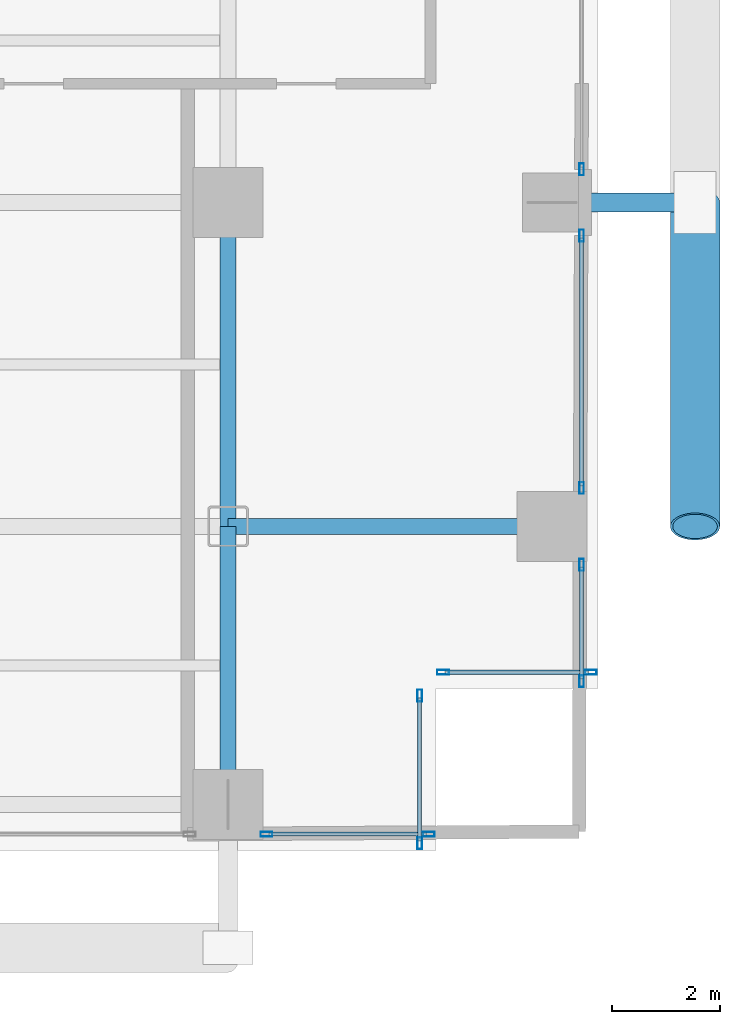
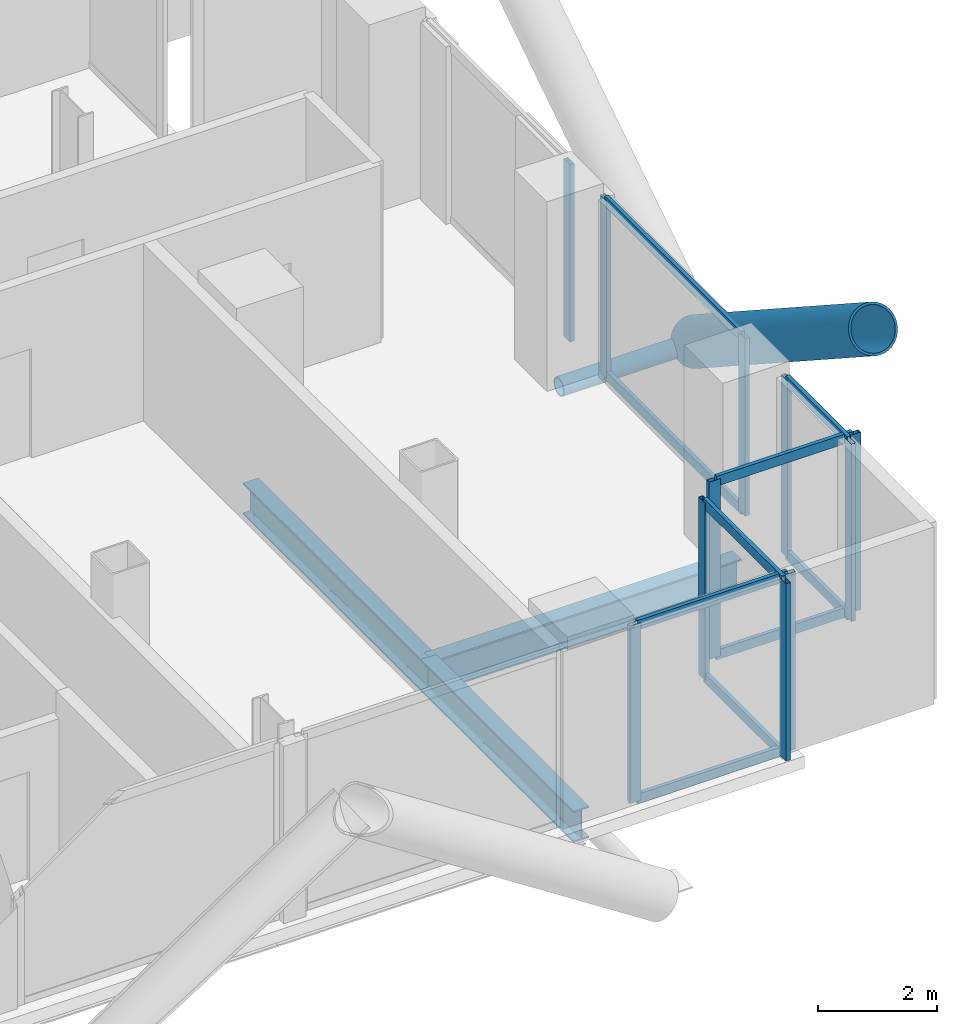
# One storey, part 10 of 25: 23 members, 3 beams, 6 elements without a shape of their own.
"""IFC4 building model written with IfcOpenShell, lengths in metres."""

from ifc_helpers import new_model, si_unit, direction, frame, origin, origin_2d, place, context, subcontext, project, spatial, hollow_rectangle, hollow_circle, i_section, extrude, material, layer, layer_set, material_profile, profile_set, type_object, element, aggregate, save


model = new_model("IFC4")

# Units and contexts
model_context = context("Model", 3, precision=1e-05, world=origin(), true_north=direction((0.0, 1.0)))
body_context = subcontext(model_context, "Body", "Model", "MODEL_VIEW")
ifc_project = project(units=[si_unit("LENGTHUNIT", "METRE"), si_unit("AREAUNIT", "SQUARE_METRE"), si_unit("VOLUMEUNIT", "CUBIC_METRE"), si_unit("PLANEANGLEUNIT", "RADIAN"), si_unit("MASSUNIT", "GRAM", prefix="KILO"), si_unit("THERMODYNAMICTEMPERATUREUNIT", "KELVIN"), si_unit("POWERUNIT", "WATT")], contexts=[model_context])

# Site, building, storey
site_placement = place(None, origin())
site = spatial("IfcSite", under=ifc_project, at=site_placement, CompositionType="ELEMENT")
building_placement = place(site_placement, origin())
building = spatial("IfcBuilding", under=site, at=building_placement, Name="Svarakhadi Broadcast Tower", CompositionType="ELEMENT")
storey_placement = place(building_placement, frame((0.0, 0.0, 83.10009765625)))
storey = spatial("IfcBuildingStorey", under=building, at=storey_placement, Name="L19", CompositionType="ELEMENT", Elevation=83.10009765625)

# Curtain wall, member
ifc_material_1 = material(Name="Anodised Bronze Aluminium AA 6063-T6", Category="aluminium")
ifc_layer = layer(ifc_material_1, 0.219970703125)
ifc_layer_set = layer_set([ifc_layer], Name="Anodised Bronze Aluminium AA 6063-T6")
curtain_wall_type = type_object("IfcCurtainWallType", Name="CW_Sys_02", PredefinedType="NOTDEFINED", material=ifc_layer_set)
curtain_wall_1_placement = place(storey_placement, origin())
curtain_wall_1 = element("IfcCurtainWall", 1, at=curtain_wall_1_placement, inside=storey, type_object=curtain_wall_type, Name="L19 Unitised Facade Curtain Wall 13 Bay 2", PredefinedType="NOTDEFINED")
ifc_material_profile_1 = material_profile(ifc_material_1, hollow_rectangle(XDim=0.0849609375, YDim=0.219970703125, WallThickness=0.006103515625, at=origin_2d()), Name="ALU MULLION 220x85x6")
ifc_profile_set_1 = profile_set([ifc_material_profile_1], Name="Anodised Bronze Aluminium AA 6063-T6")
member_type_1 = type_object("IfcMemberType", Name="CW_Sys_02_Mul", PredefinedType="MULLION", material=ifc_profile_set_1)
member_1_placement = place(storey_placement, frame((53.699951171875, 12.612548828125, 0.0), z_axis=(0.0, 0.0, 1.0), x_axis=(1.0, 0.0, 0.0)))
member_1 = element("IfcMember", 2, at=member_1_placement, type_object=member_type_1, Name="CW-02 mullion 2", PredefinedType="MULLION", context=body_context, shape_type="SweptSolid", body=[
    extrude(hollow_rectangle(XDim=0.0849609375, YDim=0.219970703125, WallThickness=0.006103515625, at=origin_2d()), origin(), (0.0, 0.0, 1.0), 3.64990234375),
])
aggregate(curtain_wall_1, [member_1])

# Curtain wall, members
curtain_wall_2_placement = place(storey_placement, origin())
curtain_wall_2 = element("IfcCurtainWall", 3, at=curtain_wall_2_placement, inside=storey, type_object=curtain_wall_type, Name="L19 Unitised Facade Curtain Wall 13 Bay 3", PredefinedType="NOTDEFINED")
member_2_placement = place(storey_placement, frame((53.699951171875, 11.387451171875, 0.0), z_axis=(0.0, 0.0, 1.0), x_axis=(1.0, 0.0, 0.0)))
member_2 = element("IfcMember", 4, at=member_2_placement, type_object=member_type_1, Name="CW-02 mullion 1", PredefinedType="MULLION", context=body_context, shape_type="SweptSolid", body=[
    extrude(hollow_rectangle(XDim=0.0849609375, YDim=0.219970703125, WallThickness=0.006103515625, at=origin_2d()), origin(), (0.0, 0.0, 1.0), 3.64990234375),
])
member_3_placement = place(storey_placement, frame((53.699951171875, 6.71240234375, 0.0), z_axis=(0.0, 0.0, 1.0), x_axis=(1.0, 0.0, 0.0)))
member_3 = element("IfcMember", 5, at=member_3_placement, type_object=member_type_1, Name="CW-02 mullion 2", PredefinedType="MULLION", context=body_context, shape_type="SweptSolid", body=[
    extrude(hollow_rectangle(XDim=0.0849609375, YDim=0.219970703125, WallThickness=0.006103515625, at=origin_2d()), origin(), (0.0, 0.0, 1.0), 3.64990234375),
])

curtain_wall_3_placement = place(storey_placement, origin())
curtain_wall_3 = element("IfcCurtainWall", 6, at=curtain_wall_3_placement, inside=storey, type_object=curtain_wall_type, Name="L19 Unitised Facade Curtain Wall 13 Bay 4", PredefinedType="NOTDEFINED")
member_4_placement = place(storey_placement, frame((53.699951171875, 5.28759765625, 0.0), z_axis=(0.0, 0.0, 1.0), x_axis=(1.0, 0.0, 0.0)))
member_4 = element("IfcMember", 7, at=member_4_placement, type_object=member_type_1, Name="CW-02 mullion 1", PredefinedType="MULLION", context=body_context, shape_type="SweptSolid", body=[
    extrude(hollow_rectangle(XDim=0.0849609375, YDim=0.219970703125, WallThickness=0.006103515625, at=origin_2d()), origin(), (0.0, 0.0, 1.0), 3.64990234375),
])
member_5_placement = place(storey_placement, frame((53.699951171875, 3.132568359375, 0.0), z_axis=(0.0, 0.0, 1.0), x_axis=(1.0, 0.0, 0.0)))
member_5 = element("IfcMember", 8, at=member_5_placement, type_object=member_type_1, Name="CW-02 mullion 2", PredefinedType="MULLION", context=body_context, shape_type="SweptSolid", body=[
    extrude(hollow_rectangle(XDim=0.0849609375, YDim=0.219970703125, WallThickness=0.006103515625, at=origin_2d()), origin(), (0.0, 0.0, 1.0), 3.64990234375),
])

curtain_wall_4_placement = place(storey_placement, origin())
curtain_wall_4 = element("IfcCurtainWall", 9, at=curtain_wall_4_placement, inside=storey, type_object=curtain_wall_type, Name="L19 Unitised Facade Curtain Wall 14", PredefinedType="NOTDEFINED")
member_6_placement = place(storey_placement, frame((53.867431640625, 3.300048828125, 0.0), z_axis=(0.0, 0.0, 1.0), x_axis=(0.0, -1.0, 0.0)))
member_6 = element("IfcMember", 10, at=member_6_placement, type_object=member_type_1, Name="CW-02 mullion 1", PredefinedType="MULLION", context=body_context, shape_type="SweptSolid", body=[
    extrude(hollow_rectangle(XDim=0.0849609375, YDim=0.219970703125, WallThickness=0.006103515625, at=origin_2d()), origin(), (0.0, 0.0, 1.0), 3.64990234375),
])
member_7_placement = place(storey_placement, frame((51.132568359375, 3.300048828125, 0.0), z_axis=(0.0, 0.0, 1.0), x_axis=(0.0, -1.0, 0.0)))
member_7 = element("IfcMember", 11, at=member_7_placement, type_object=member_type_1, Name="CW-02 mullion 2", PredefinedType="MULLION", context=body_context, shape_type="SweptSolid", body=[
    extrude(hollow_rectangle(XDim=0.0849609375, YDim=0.219970703125, WallThickness=0.006103515625, at=origin_2d()), origin(), (0.0, 0.0, 1.0), 3.64990234375),
])

curtain_wall_5_placement = place(storey_placement, origin())
curtain_wall_5 = element("IfcCurtainWall", 12, at=curtain_wall_5_placement, inside=storey, type_object=curtain_wall_type, Name="L19 Unitised Facade Curtain Wall 15", PredefinedType="NOTDEFINED")
member_8_placement = place(storey_placement, frame((50.699951171875, 2.867431640625, 0.0), z_axis=(0.0, 0.0, 1.0), x_axis=(1.0, 0.0, 0.0)))
member_8 = element("IfcMember", 13, at=member_8_placement, type_object=member_type_1, Name="CW-02 mullion 1", PredefinedType="MULLION", context=body_context, shape_type="SweptSolid", body=[
    extrude(hollow_rectangle(XDim=0.0849609375, YDim=0.219970703125, WallThickness=0.006103515625, at=origin_2d()), origin(), (0.0, 0.0, 1.0), 3.64990234375),
])
member_9_placement = place(storey_placement, frame((50.699951171875, 0.132568359375, 0.0), z_axis=(0.0, 0.0, 1.0), x_axis=(1.0, 0.0, 0.0)))
member_9 = element("IfcMember", 14, at=member_9_placement, type_object=member_type_1, Name="CW-02 mullion 2", PredefinedType="MULLION", context=body_context, shape_type="SweptSolid", body=[
    extrude(hollow_rectangle(XDim=0.0849609375, YDim=0.219970703125, WallThickness=0.006103515625, at=origin_2d()), origin(), (0.0, 0.0, 1.0), 3.64990234375),
])

curtain_wall_6_placement = place(storey_placement, origin())
curtain_wall_6 = element("IfcCurtainWall", 15, at=curtain_wall_6_placement, inside=storey, type_object=curtain_wall_type, Name="L19 South Curtain Wall 16 Bay 1", PredefinedType="NOTDEFINED")
member_10_placement = place(storey_placement, frame((50.867431640625, 0.300048828125, 0.0), z_axis=(0.0, 0.0, 1.0), x_axis=(0.0, -1.0, 0.0)))
member_10 = element("IfcMember", 16, at=member_10_placement, type_object=member_type_1, Name="CW-02 mullion 1", PredefinedType="MULLION", context=body_context, shape_type="SweptSolid", body=[
    extrude(hollow_rectangle(XDim=0.0849609375, YDim=0.219970703125, WallThickness=0.006103515625, at=origin_2d()), origin(), (0.0, 0.0, 1.0), 3.64990234375),
])
member_11_placement = place(storey_placement, frame((47.862548828125, 0.300048828125, 0.0), z_axis=(0.0, 0.0, 1.0), x_axis=(0.0, -1.0, 0.0)))
member_11 = element("IfcMember", 17, at=member_11_placement, type_object=member_type_1, Name="CW-02 mullion 2", PredefinedType="MULLION", context=body_context, shape_type="SweptSolid", body=[
    extrude(hollow_rectangle(XDim=0.0849609375, YDim=0.219970703125, WallThickness=0.006103515625, at=origin_2d()), origin(), (0.0, 0.0, 1.0), 3.64990234375),
])

# Member
ifc_material_profile_2 = material_profile(ifc_material_1, hollow_rectangle(XDim=0.074951171875, YDim=0.199951171875, WallThickness=0.0048828125, at=origin_2d()), Name="ALU TRANSOM 200x75x5")
ifc_profile_set_2 = profile_set([ifc_material_profile_2], Name="Anodised Bronze Aluminium AA 6063-T6")
member_type_2 = type_object("IfcMemberType", Name="CW_Sys_02_Trn", PredefinedType="USERDEFINED", material=ifc_profile_set_2)
member_12_placement = place(storey_placement, frame((53.699951171875, 11.344970703125, 0.037353515625), z_axis=(0.0, -1.0, 0.0), x_axis=(1.0, 0.0, 0.0)))
member_12 = element("IfcMember", 18, at=member_12_placement, type_object=member_type_2, Name="CW-02 transom 1.1", ObjectType="TRANSOM", PredefinedType="USERDEFINED", context=body_context, shape_type="SweptSolid", body=[
    extrude(hollow_rectangle(XDim=0.074951171875, YDim=0.199951171875, WallThickness=0.0048828125, at=origin_2d()), origin(), (0.0, 0.0, 1.0), 4.590087890625),
])

member_13_placement = place(storey_placement, frame((53.699951171875, 11.344970703125, 3.6123046875), z_axis=(0.0, -1.0, 0.0), x_axis=(1.0, 0.0, 0.0)))
member_13 = element("IfcMember", 19, at=member_13_placement, type_object=member_type_2, Name="CW-02 transom 1.2", ObjectType="TRANSOM", PredefinedType="USERDEFINED", context=body_context, shape_type="SweptSolid", body=[
    extrude(hollow_rectangle(XDim=0.074951171875, YDim=0.199951171875, WallThickness=0.0048828125, at=origin_2d()), origin(), (0.0, 0.0, 1.0), 4.590087890625),
])

aggregate(curtain_wall_2, [member_2, member_3, member_12, member_13])

member_14_placement = place(storey_placement, frame((53.699951171875, 5.2451171875, 0.037353515625), z_axis=(0.0, -1.0, 0.0), x_axis=(1.0, 0.0, 0.0)))
member_14 = element("IfcMember", 20, at=member_14_placement, type_object=member_type_2, Name="CW-02 transom 1.1", ObjectType="TRANSOM", PredefinedType="USERDEFINED", context=body_context, shape_type="SweptSolid", body=[
    extrude(hollow_rectangle(XDim=0.074951171875, YDim=0.199951171875, WallThickness=0.0048828125, at=origin_2d()), origin(), (0.0, 0.0, 1.0), 2.070068359375),
])

member_15_placement = place(storey_placement, frame((53.699951171875, 5.2451171875, 3.6123046875), z_axis=(0.0, -1.0, 0.0), x_axis=(1.0, 0.0, 0.0)))
member_15 = element("IfcMember", 21, at=member_15_placement, type_object=member_type_2, Name="CW-02 transom 1.2", ObjectType="TRANSOM", PredefinedType="USERDEFINED", context=body_context, shape_type="SweptSolid", body=[
    extrude(hollow_rectangle(XDim=0.074951171875, YDim=0.199951171875, WallThickness=0.0048828125, at=origin_2d()), origin(), (0.0, 0.0, 1.0), 2.070068359375),
])

aggregate(curtain_wall_3, [member_4, member_5, member_14, member_15])

member_16_placement = place(storey_placement, frame((53.824951171875, 3.300048828125, 0.037353515625), z_axis=(-1.0, 0.0, 0.0), x_axis=(0.0, -1.0, 0.0)))
member_16 = element("IfcMember", 22, at=member_16_placement, type_object=member_type_2, Name="CW-02 transom 1.1", ObjectType="TRANSOM", PredefinedType="USERDEFINED", context=body_context, shape_type="SweptSolid", body=[
    extrude(hollow_rectangle(XDim=0.074951171875, YDim=0.199951171875, WallThickness=0.0048828125, at=origin_2d()), origin(), (0.0, 0.0, 1.0), 2.64990234375),
])

member_17_placement = place(storey_placement, frame((53.824951171875, 3.300048828125, 3.6123046875), z_axis=(-1.0, 0.0, 0.0), x_axis=(0.0, -1.0, 0.0)))
member_17 = element("IfcMember", 23, at=member_17_placement, type_object=member_type_2, Name="CW-02 transom 1.2", ObjectType="TRANSOM", PredefinedType="USERDEFINED", context=body_context, shape_type="SweptSolid", body=[
    extrude(hollow_rectangle(XDim=0.074951171875, YDim=0.199951171875, WallThickness=0.0048828125, at=origin_2d()), origin(), (0.0, 0.0, 1.0), 2.64990234375),
])

aggregate(curtain_wall_4, [member_6, member_7, member_16, member_17])

member_18_placement = place(storey_placement, frame((50.699951171875, 2.824951171875, 0.037353515625), z_axis=(0.0, -1.0, 0.0), x_axis=(1.0, 0.0, 0.0)))
member_18 = element("IfcMember", 24, at=member_18_placement, type_object=member_type_2, Name="CW-02 transom 1.1", ObjectType="TRANSOM", PredefinedType="USERDEFINED", context=body_context, shape_type="SweptSolid", body=[
    extrude(hollow_rectangle(XDim=0.074951171875, YDim=0.199951171875, WallThickness=0.0048828125, at=origin_2d()), origin(), (0.0, 0.0, 1.0), 2.64990234375),
])

member_19_placement = place(storey_placement, frame((50.699951171875, 2.824951171875, 3.6123046875), z_axis=(0.0, -1.0, 0.0), x_axis=(1.0, 0.0, 0.0)))
member_19 = element("IfcMember", 25, at=member_19_placement, type_object=member_type_2, Name="CW-02 transom 1.2", ObjectType="TRANSOM", PredefinedType="USERDEFINED", context=body_context, shape_type="SweptSolid", body=[
    extrude(hollow_rectangle(XDim=0.074951171875, YDim=0.199951171875, WallThickness=0.0048828125, at=origin_2d()), origin(), (0.0, 0.0, 1.0), 2.64990234375),
])

aggregate(curtain_wall_5, [member_8, member_9, member_18, member_19])

member_20_placement = place(storey_placement, frame((50.824951171875, 0.300048828125, 0.037353515625), z_axis=(-1.0, 0.0, 0.0), x_axis=(0.0, -1.0, 0.0)))
member_20 = element("IfcMember", 26, at=member_20_placement, type_object=member_type_2, Name="CW-02 transom 1.1", ObjectType="TRANSOM", PredefinedType="USERDEFINED", context=body_context, shape_type="SweptSolid", body=[
    extrude(hollow_rectangle(XDim=0.074951171875, YDim=0.199951171875, WallThickness=0.0048828125, at=origin_2d()), origin(), (0.0, 0.0, 1.0), 2.919921875),
])

member_21_placement = place(storey_placement, frame((50.824951171875, 0.300048828125, 3.6123046875), z_axis=(-1.0, 0.0, 0.0), x_axis=(0.0, -1.0, 0.0)))
member_21 = element("IfcMember", 27, at=member_21_placement, type_object=member_type_2, Name="CW-02 transom 1.2", ObjectType="TRANSOM", PredefinedType="USERDEFINED", context=body_context, shape_type="SweptSolid", body=[
    extrude(hollow_rectangle(XDim=0.074951171875, YDim=0.199951171875, WallThickness=0.0048828125, at=origin_2d()), origin(), (0.0, 0.0, 1.0), 2.919921875),
])

aggregate(curtain_wall_6, [member_10, member_11, member_20, member_21])

# Members
ifc_material_2 = material(Name="Steel S460ML (IS 2062 E450BR)", Category="steel")
ifc_material_profile_3 = material_profile(ifc_material_2, hollow_circle(Radius=0.45703125, WallThickness=0.044921875, at=origin_2d()), Name="CHS 914x45")
ifc_profile_set_3 = profile_set([ifc_material_profile_3], Name="Steel S460ML (IS 2062 E450BR)")
member_type_3 = type_object("IfcMemberType", Name="Exo_Brace_CHS914", PredefinedType="BRACE", material=ifc_profile_set_3)
member_22_placement = place(storey_placement, frame((55.800048828125, 12.0, -0.427978515625), z_axis=(0.0, -0.838434262763, 0.545002740383), x_axis=(1.0, 0.0, 0.0)))
element("IfcMember", 28, at=member_22_placement, inside=storey, type_object=member_type_3, Name="L19 Exposed Bronze Exoskeleton Diagonal E08", PredefinedType="BRACE", context=body_context, shape_type="SweptSolid", body=[
    extrude(hollow_circle(Radius=0.45703125, WallThickness=0.044921875, at=origin_2d()), origin(), (0.0, 0.0, 1.0), 7.15625),
])
ifc_material_profile_4 = material_profile(ifc_material_2, hollow_circle(Radius=0.177734375, WallThickness=0.02001953125, at=origin_2d()), Name="CHS 355.6x20")
ifc_profile_set_4 = profile_set([ifc_material_profile_4], Name="Steel S460ML (IS 2062 E450BR)")
member_type_4 = type_object("IfcMemberType", Name="Exo_Radial_Strut_Z1", PredefinedType="STRUT", material=ifc_profile_set_4)
member_23_placement = place(storey_placement, frame((55.800048828125, 12.0, -0.427978515625), z_axis=(-1.0, 0.0, 0.0), x_axis=(0.0, -1.0, 0.0)))
element("IfcMember", 29, at=member_23_placement, inside=storey, type_object=member_type_4, Name="L19 Exoskeleton Radial Tie Strut E06", PredefinedType="STRUT", context=body_context, shape_type="SweptSolid", body=[
    extrude(hollow_circle(Radius=0.177734375, WallThickness=0.02001953125, at=origin_2d()), origin(), (0.0, 0.0, 1.0), 2.650146484375),
])

# Beams
ifc_material_3 = material(Name="Steel S355J2 (IS 2062 E350C)", Category="steel")
ifc_material_profile_5 = material_profile(ifc_material_3, i_section(OverallWidth=0.300048828125, OverallDepth=0.64990234375, WebThickness=0.01611328125, FlangeThickness=0.031005859375, FilletRadius=0.027099609375, at=origin_2d()), Name="WPB 650x300x225")
ifc_profile_set_5 = profile_set([ifc_material_profile_5], Name="Steel S355J2 (IS 2062 E350C)")
beam_type = type_object("IfcBeamType", Name="Girder_WPB650", PredefinedType="USERDEFINED", material=ifc_profile_set_5)
beam_1_placement = place(storey_placement, frame((47.14990234375, 6.0, -0.5751953125), z_axis=(1.0, 0.0, 0.0), x_axis=(0.0, 1.0, 0.0)))
element("IfcBeam", 30, at=beam_1_placement, inside=storey, type_object=beam_type, Name="L19 Primary E-W Girder G018", ObjectType="GIRDER", PredefinedType="USERDEFINED", context=body_context, shape_type="SweptSolid", body=[
    extrude(i_section(OverallWidth=0.300048828125, OverallDepth=0.64990234375, WebThickness=0.01611328125, FlangeThickness=0.031005859375, FilletRadius=0.027099609375, at=origin_2d()), origin(), (0.0, 0.0, 1.0), 6.0),
])
beam_2_placement = place(storey_placement, frame((47.14990234375, 0.85009765625, -0.5751953125), z_axis=(0.0, 1.0, 0.0), x_axis=(-1.0, 0.0, 0.0)))
element("IfcBeam", 31, at=beam_2_placement, inside=storey, type_object=beam_type, Name="L19 Primary N-S Girder G082", ObjectType="GIRDER", PredefinedType="USERDEFINED", context=body_context, shape_type="SweptSolid", body=[
    extrude(i_section(OverallWidth=0.300048828125, OverallDepth=0.64990234375, WebThickness=0.01611328125, FlangeThickness=0.031005859375, FilletRadius=0.027099609375, at=origin_2d()), origin(), (0.0, 0.0, 1.0), 5.14990234375),
])
beam_3_placement = place(storey_placement, frame((47.14990234375, 6.0, -0.5751953125), z_axis=(0.0, 1.0, 0.0), x_axis=(-1.0, 0.0, 0.0)))
element("IfcBeam", 32, at=beam_3_placement, inside=storey, type_object=beam_type, Name="L19 Primary N-S Girder G083", ObjectType="GIRDER", PredefinedType="USERDEFINED", context=body_context, shape_type="SweptSolid", body=[
    extrude(i_section(OverallWidth=0.300048828125, OverallDepth=0.64990234375, WebThickness=0.01611328125, FlangeThickness=0.031005859375, FilletRadius=0.027099609375, at=origin_2d()), origin(), (0.0, 0.0, 1.0), 6.0),
])

save(model, "model.ifc")
